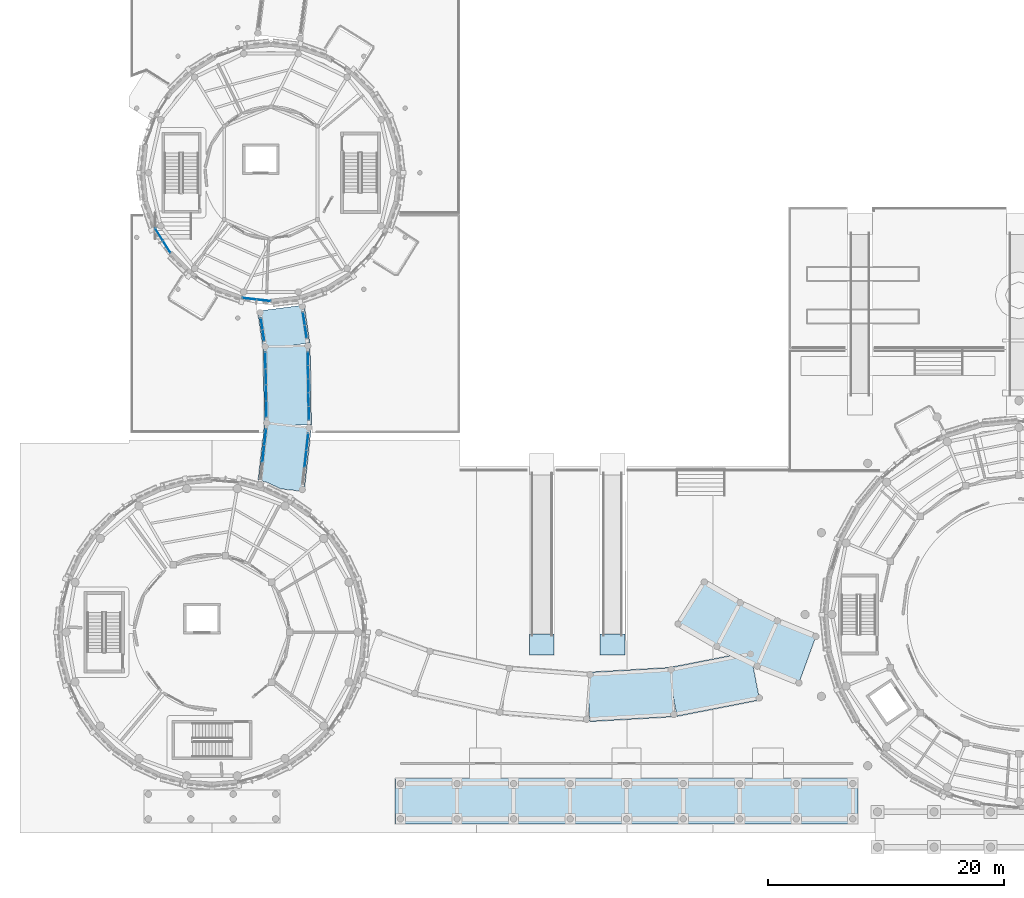
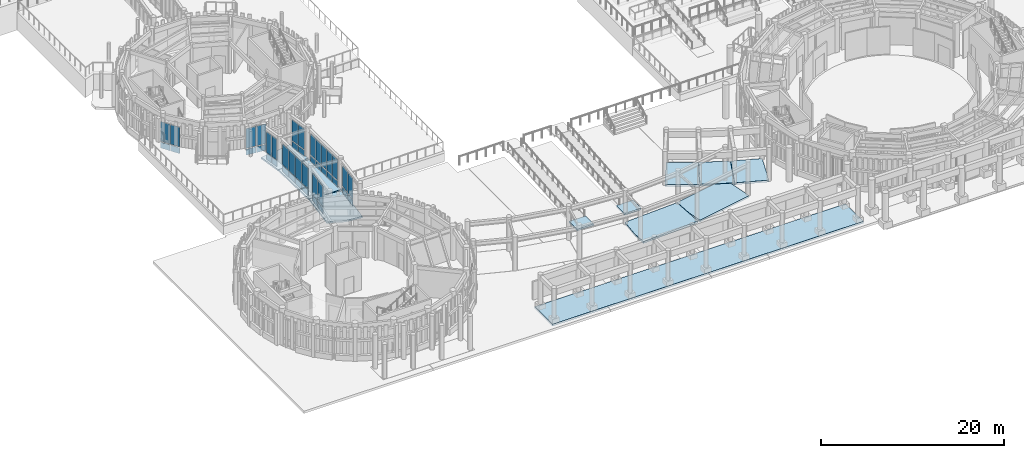
# One storey, part 33 of 94: 42 plates, 11 slabs, 8 elements without a shape of their own.
"""IFC4 building model written with IfcOpenShell, lengths in metres."""

import ifcopenshell
import ifcopenshell.guid

model = None  # the IFC model being written
_history = None  # IfcOwnerHistory: only IFC2X3 demands one
_inside = {}  # id of a spatial element -> (the spatial element, [elements in it])
_under = {}  # id of a project, library or spatial element -> (it, [spatial elements below it])
_declared = {}  # id of a project -> (the project, [libraries it declares])
_typed = {}  # id of a type object -> (the type object, [elements of that type])
_made_of = {}  # id of a material, layer set ... -> (it, [elements and type objects made of it])


def new_model(schema):
    """Start an empty IFC model of exactly this schema.

    Asked for "IFC4X3", IfcOpenShell would pick the latest addendum, in which some entities
    have other attributes; the version numbers below select the first issue.
    IFC2X3 requires an IfcOwnerHistory on every rooted entity: one is made here for all.
    """
    global model, _history
    if schema == "IFC4X3":
        model = ifcopenshell.file(schema_version=(4, 3, 0, 0))
    else:
        model = ifcopenshell.file(schema=schema)
    _inside.clear()
    _under.clear()
    _declared.clear()
    _typed.clear()
    _made_of.clear()
    _history = None
    if model.schema == "IFC2X3":
        org = make("IfcOrganization", Name="unknown")
        user = make(
            "IfcPersonAndOrganization",
            ThePerson=make("IfcPerson", FamilyName="unknown"),
            TheOrganization=org,
        )
        app = make(
            "IfcApplication",
            ApplicationDeveloper=org,
            Version="unknown",
            ApplicationFullName="unknown",
            ApplicationIdentifier="unknown",
        )
        _history = make(
            "IfcOwnerHistory",
            OwningUser=user,
            OwningApplication=app,
            ChangeAction="ADDED",
            CreationDate=0,
        )
    return model


def make(cls, **values):
    """One entity of the class cls with the attributes given. An attribute that is None is left unset."""
    return model.create_entity(
        cls, **{name: value for name, value in values.items() if value is not None}
    )


def rooted(cls, **values):
    """An entity with a GlobalId (a new one), such as an element, a storey or a relation."""
    return make(cls, GlobalId=ifcopenshell.guid.new(), OwnerHistory=_history, **values)


def si_unit(unit_type, name, prefix=None):
    """IfcSIUnit, for example si_unit("LENGTHUNIT", "METRE", prefix="MILLI")."""
    return make("IfcSIUnit", UnitType=unit_type, Prefix=prefix, Name=name)


def assignment(units):
    """IfcUnitAssignment: the units of a project."""
    return None if units is None else make("IfcUnitAssignment", Units=units)


def point(xyz):
    """IfcCartesianPoint."""
    return None if xyz is None else make("IfcCartesianPoint", Coordinates=xyz)


def direction(xyz):
    """IfcDirection."""
    return None if xyz is None else make("IfcDirection", DirectionRatios=xyz)


def frame(location, z_axis=None, x_axis=None):
    """IfcAxis2Placement3D, a coordinate frame: its origin and axes. An axis left out is left unset."""
    return make(
        "IfcAxis2Placement3D",
        Location=point(location),
        Axis=direction(z_axis),
        RefDirection=direction(x_axis),
    )


def frame_2d(location, x_axis=None):
    """IfcAxis2Placement2D, a coordinate frame in the plane: its origin and x axis."""
    return make(
        "IfcAxis2Placement2D", Location=point(location), RefDirection=direction(x_axis)
    )


def origin():
    """The frame at (0, 0, 0) with its axes left unset."""
    return frame((0.0, 0.0, 0.0))


def origin_2d():
    """The frame at (0, 0) in the plane with its x axis left unset."""
    return frame_2d((0.0, 0.0))


def place(relative_to, where):
    """IfcLocalPlacement: puts the frame where relative to a parent placement (None: the world)."""
    return make(
        "IfcLocalPlacement", PlacementRelTo=relative_to, RelativePlacement=where
    )


def context(
    kind, dimensions, precision=None, world=None, true_north=None, identifier=None
):
    """IfcGeometricRepresentationContext, for example the 3D "Model" context."""
    return make(
        "IfcGeometricRepresentationContext",
        ContextIdentifier=identifier,
        ContextType=kind,
        CoordinateSpaceDimension=dimensions,
        Precision=precision,
        WorldCoordinateSystem=world,
        TrueNorth=true_north,
    )


def subcontext(parent, identifier, kind, view, scale=None):
    """IfcGeometricRepresentationSubContext, for example "Body" below "Model"."""
    return make(
        "IfcGeometricRepresentationSubContext",
        ContextIdentifier=identifier,
        ContextType=kind,
        ParentContext=parent,
        TargetScale=scale,
        TargetView=view,
    )


def project(units=None, contexts=None):
    """IfcProject with its units and contexts."""
    return rooted(
        "IfcProject",
        Name="project",
        RepresentationContexts=contexts,
        UnitsInContext=assignment(units),
    )


def spatial(cls, under=None, at=None, **own):
    """A site, building, storey or space (cls), placed at a placement, below another one or the project."""
    s = rooted(cls, ObjectPlacement=at, **own)
    if under is not None:
        _under.setdefault(under.id(), (under, []))[1].append(s)
    return s


def polyline(points):
    """IfcPolyline through the points."""
    return make("IfcPolyline", Points=[point(p) for p in points])


def profile(cls, at=None, kind="AREA", **sizes):
    """A parametric profile (cls). Its sizes go by their IFC names, for example OverallWidth=200.0."""
    return make(cls, ProfileType=kind, Position=at, **sizes)


def rectangle(**sizes):
    """IfcRectangleProfileDef."""
    return profile("IfcRectangleProfileDef", **sizes)


def outline(outer, holes=None, kind="AREA"):
    """IfcArbitraryClosedProfileDef: a profile drawn as a closed curve; with holes, ...WithVoids."""
    if holes is None:
        return make("IfcArbitraryClosedProfileDef", ProfileType=kind, OuterCurve=outer)
    return make(
        "IfcArbitraryProfileDefWithVoids",
        ProfileType=kind,
        OuterCurve=outer,
        InnerCurves=holes,
    )


def extrude(swept, where, along, depth):
    """IfcExtrudedAreaSolid: the profile swept, set in the frame where, extruded along a direction by depth."""
    return make(
        "IfcExtrudedAreaSolid",
        SweptArea=swept,
        Position=where,
        ExtrudedDirection=direction(along),
        Depth=depth,
    )


def shape(context_of_items, identifier, shape_type, items):
    """IfcShapeRepresentation: the items that make up one representation, for example the "Body"."""
    return make(
        "IfcShapeRepresentation",
        ContextOfItems=context_of_items,
        RepresentationIdentifier=identifier,
        RepresentationType=shape_type,
        Items=items,
    )


def material(Name=None, Category=None):
    """IfcMaterial."""
    return make("IfcMaterial", Name=Name, Category=Category)


def layer(
    of_material, thickness, ventilated=None, Name=None, Category=None, Priority=None
):
    """IfcMaterialLayer: one layer of a wall or slab, of a material (None: an air gap)."""
    return make(
        "IfcMaterialLayer",
        Material=of_material,
        LayerThickness=thickness,
        IsVentilated=ventilated,
        Name=Name,
        Category=Category,
        Priority=Priority,
    )


def layer_set(layers, Name=None):
    """IfcMaterialLayerSet."""
    return make("IfcMaterialLayerSet", MaterialLayers=layers, LayerSetName=Name)


def made_of(thing, what):
    """Note that an element or type object is made of a material, layer set ...; save() writes the relation."""
    if what is not None:
        _made_of.setdefault(what.id(), (what, []))[1].append(thing)
    return thing


def type_object(cls, material=None, **own):
    """A type object (cls), such as IfcWallType, which elements share."""
    return made_of(rooted(cls, **own), material)


def element(
    cls,
    number,
    at=None,
    inside=None,
    cuts=None,
    type_object=None,
    material=None,
    context=None,
    identifier="Body",
    shape_type=None,
    held_by="IfcProductDefinitionShape",
    body=None,
    shapes=None,
    **own,
):
    """One element of the class cls, such as IfcWall. Its Tag is "e" and its number.

    at: its placement. inside: the storey or other place that contains it. cuts: it is an
    opening in that element (IfcRelVoidsElement). A single representation is given by context,
    identifier, shape_type and body (its items); several are given by shapes. held_by: the class
    of the entity that holds the representations. save() writes the other relations.
    """
    e = rooted(cls, Tag="e%d" % number, ObjectPlacement=at, **own)
    if body is not None:
        shapes = [shape(context, identifier, shape_type, body)]
    if shapes is not None:
        e.Representation = make(held_by, Representations=shapes)
    if inside is not None:
        _inside.setdefault(inside.id(), (inside, []))[1].append(e)
    if cuts is not None:
        rooted(
            "IfcRelVoidsElement", RelatingBuildingElement=cuts, RelatedOpeningElement=e
        )
    if type_object is not None:
        _typed.setdefault(type_object.id(), (type_object, []))[1].append(e)
    return made_of(e, material)


def aggregate(whole, parts):
    """IfcRelAggregates: a whole, such as a stair, and the parts it consists of."""
    return rooted("IfcRelAggregates", RelatingObject=whole, RelatedObjects=parts)


def save(model, path):
    """Write the relations noted so far, then the file.

    IfcRelAggregates (storeys below a building ...), IfcRelContainedInSpatialStructure (elements
    in a storey), IfcRelDefinesByType, IfcRelAssociatesMaterial and IfcRelDeclares: one each for
    every whole, place, type object, material and project.
    """
    for whole, parts in _under.values():
        aggregate(whole, parts)
    for where, things in _inside.values():
        rooted(
            "IfcRelContainedInSpatialStructure",
            RelatedElements=things,
            RelatingStructure=where,
        )
    for kind, things in _typed.values():
        rooted("IfcRelDefinesByType", RelatedObjects=things, RelatingType=kind)
    for what, things in _made_of.values():
        rooted("IfcRelAssociatesMaterial", RelatedObjects=things, RelatingMaterial=what)
    for by, libraries in _declared.values():
        rooted("IfcRelDeclares", RelatingContext=by, RelatedDefinitions=libraries)
    model.write(path)


model = new_model("IFC4")

# Units and contexts
model_context = context("Model", 3, precision=1e-05, world=origin(), true_north=direction((0.0, 1.0)))
body_context = subcontext(model_context, "Body", "Model", "MODEL_VIEW")
ifc_project = project(units=[si_unit("LENGTHUNIT", "METRE"), si_unit("AREAUNIT", "SQUARE_METRE"), si_unit("VOLUMEUNIT", "CUBIC_METRE"), si_unit("PLANEANGLEUNIT", "RADIAN"), si_unit("MASSUNIT", "GRAM", prefix="KILO")], contexts=[model_context])

# Site, building, storey
site_placement = place(None, origin())
site = spatial("IfcSite", under=ifc_project, at=site_placement, CompositionType="ELEMENT")
building_placement = place(site_placement, origin())
building = spatial("IfcBuilding", under=site, at=building_placement, Name="Aldenvaro Health Centre", CompositionType="ELEMENT")
storey_placement = place(building_placement, origin())
storey = spatial("IfcBuildingStorey", under=building, at=storey_placement, Name="L00", CompositionType="ELEMENT", Elevation=0.0)

# Curtain wall, plates
ifc_material_1 = material(Name="Anodised Aluminium 6063-T6", Category="aluminium")
ifc_layer_1 = layer(ifc_material_1, 0.195068359375, Name="Anodised Aluminium 6063-T6", Category="aluminium")
ifc_layer_set_1 = layer_set([ifc_layer_1], Name="Anodised Aluminium 6063-T6")
curtain_wall_type_1 = type_object("IfcCurtainWallType", Name="CW-CLN-02", PredefinedType="NOTDEFINED", material=ifc_layer_set_1)
curtain_wall_1_placement = place(storey_placement, origin())
curtain_wall_1 = element("IfcCurtainWall", 1, at=curtain_wall_1_placement, inside=storey, type_object=curtain_wall_type_1, Name="D3 L00 curtain wall bay 08", PredefinedType="NOTDEFINED")
ifc_material_2 = material(Name="Low-E Double Glazing IGU", Category="glass")
ifc_layer_2 = layer(ifc_material_2, 0.028076171875, Name="Low-E Double Glazing IGU", Category="glass")
ifc_layer_set_2 = layer_set([ifc_layer_2], Name="Low-E Double Glazing IGU")
plate_type_1 = type_object("IfcPlateType", Name="CWP-IGU-28", PredefinedType="CURTAIN_PANEL", material=ifc_layer_set_2)
plate_1_placement = place(storey_placement, frame((22.89404296875, 46.66796875, 0.96044921875), z_axis=(0.0, 0.0, 1.0), x_axis=(-0.993722777443, 0.111870646695, 0.0)))
plate_1 = element("IfcPlate", 2, at=plate_1_placement, type_object=plate_type_1, Name="D3 L00 curtain wall bay 08 vision glazing 1", PredefinedType="CURTAIN_PANEL", context=body_context, shape_type="SweptSolid", body=[
    extrude(rectangle(XDim=1.14990234375, YDim=0.028076171875, at=origin_2d()), origin(), (0.0, 0.0, 1.0), 2.638916015625),
])
plate_2_placement = place(storey_placement, frame((21.680908203125, 46.804931640625, 0.96044921875), z_axis=(0.0, 0.0, 1.0), x_axis=(-0.993722777443, 0.111870646695, 0.0)))
plate_2 = element("IfcPlate", 3, at=plate_2_placement, type_object=plate_type_1, Name="D3 L00 curtain wall bay 08 vision glazing 2", PredefinedType="CURTAIN_PANEL", context=body_context, shape_type="SweptSolid", body=[
    extrude(rectangle(XDim=1.14990234375, YDim=0.028076171875, at=origin_2d()), origin(), (0.0, 0.0, 1.0), 2.638916015625),
])

curtain_wall_2_placement = place(storey_placement, origin())
curtain_wall_2 = element("IfcCurtainWall", 4, at=curtain_wall_2_placement, inside=storey, type_object=curtain_wall_type_1, Name="D3 L00 curtain wall bay 12", PredefinedType="NOTDEFINED")
plate_3_placement = place(storey_placement, frame((14.653076171875, 51.220947265625, 0.96044921875), z_axis=(0.0, 0.0, 1.0), x_axis=(-0.532096042675, 0.846684003256, 0.0)))
plate_3 = element("IfcPlate", 5, at=plate_3_placement, type_object=plate_type_1, Name="D3 L00 curtain wall bay 12 vision glazing 1", PredefinedType="CURTAIN_PANEL", context=body_context, shape_type="SweptSolid", body=[
    extrude(rectangle(XDim=1.15087890625, YDim=0.028076171875, at=origin_2d()), origin(), (0.0, 0.0, 1.0), 2.638916015625),
])
plate_4_placement = place(storey_placement, frame((14.00390625, 52.25390625, 0.96044921875), z_axis=(0.0, 0.0, 1.0), x_axis=(-0.532096042675, 0.846684003256, 0.0)))
plate_4 = element("IfcPlate", 6, at=plate_4_placement, type_object=plate_type_1, Name="D3 L00 curtain wall bay 12 vision glazing 2", PredefinedType="CURTAIN_PANEL", context=body_context, shape_type="SweptSolid", body=[
    extrude(rectangle(XDim=1.15087890625, YDim=0.028076171875, at=origin_2d()), origin(), (0.0, 0.0, 1.0), 2.638916015625),
])

ifc_layer_3 = layer(ifc_material_1, 0.2099609375, Name="Anodised Aluminium 6063-T6", Category="aluminium")
ifc_layer_set_3 = layer_set([ifc_layer_3], Name="Anodised Aluminium 6063-T6")
curtain_wall_type_2 = type_object("IfcCurtainWallType", Name="CW-BRG-03", PredefinedType="NOTDEFINED", material=ifc_layer_set_3)
curtain_wall_3_placement = place(storey_placement, origin())
curtain_wall_3 = element("IfcCurtainWall", 7, at=curtain_wall_3_placement, inside=storey, type_object=curtain_wall_type_2, Name="West South Curved Garden Walkway Arc 1 L00 glazed link wall L-1.1", PredefinedType="NOTDEFINED")
plate_5_placement = place(storey_placement, frame((22.863037109375, 33.632080078125, 0.96044921875), z_axis=(0.0, 0.0, 1.0), x_axis=(0.110252441518, 0.993903616625, 0.0)))
plate_5 = element("IfcPlate", 8, at=plate_5_placement, type_object=plate_type_1, Name="West South Curved Garden Walkway Arc 1 L00 glazed link wall L-1.1 vision glazing 2", PredefinedType="CURTAIN_PANEL", context=body_context, shape_type="SweptSolid", body=[
    extrude(rectangle(XDim=1.360107421875, YDim=0.028076171875, at=origin_2d()), origin(), (0.0, 0.0, 1.0), 2.784912109375),
])
plate_6_placement = place(storey_placement, frame((23.02001953125, 35.052978515625, 0.96044921875), z_axis=(0.0, 0.0, 1.0), x_axis=(0.110252441518, 0.993903616625, 0.0)))
plate_6 = element("IfcPlate", 9, at=plate_6_placement, type_object=plate_type_1, Name="West South Curved Garden Walkway Arc 1 L00 glazed link wall L-1.1 vision glazing 3", PredefinedType="CURTAIN_PANEL", context=body_context, shape_type="SweptSolid", body=[
    extrude(rectangle(XDim=1.360107421875, YDim=0.028076171875, at=origin_2d()), origin(), (0.0, 0.0, 1.0), 2.784912109375),
])

curtain_wall_4_placement = place(storey_placement, origin())
curtain_wall_4 = element("IfcCurtainWall", 10, at=curtain_wall_4_placement, inside=storey, type_object=curtain_wall_type_2, Name="West South Curved Garden Walkway Arc 1 L00 glazed link wall R-1.1", PredefinedType="NOTDEFINED")
plate_7_placement = place(storey_placement, frame((26.44091796875, 33.23388671875, 0.96044921875), z_axis=(0.0, 0.0, 1.0), x_axis=(0.110277989687, 0.993900782267, 0.0)))
plate_7 = element("IfcPlate", 11, at=plate_7_placement, type_object=plate_type_1, Name="West South Curved Garden Walkway Arc 1 L00 glazed link wall R-1.1 vision glazing 2", PredefinedType="CURTAIN_PANEL", context=body_context, shape_type="SweptSolid", body=[
    extrude(rectangle(XDim=1.360107421875, YDim=0.028076171875, at=origin_2d()), origin(), (0.0, 0.0, 1.0), 2.784912109375),
])
plate_8_placement = place(storey_placement, frame((26.597900390625, 34.655029296875, 0.96044921875), z_axis=(0.0, 0.0, 1.0), x_axis=(0.110277989687, 0.993900782267, 0.0)))
plate_8 = element("IfcPlate", 12, at=plate_8_placement, type_object=plate_type_1, Name="West South Curved Garden Walkway Arc 1 L00 glazed link wall R-1.1 vision glazing 3", PredefinedType="CURTAIN_PANEL", context=body_context, shape_type="SweptSolid", body=[
    extrude(rectangle(XDim=1.360107421875, YDim=0.028076171875, at=origin_2d()), origin(), (0.0, 0.0, 1.0), 2.784912109375),
])

curtain_wall_5_placement = place(storey_placement, origin())
curtain_wall_5 = element("IfcCurtainWall", 13, at=curtain_wall_5_placement, inside=storey, type_object=curtain_wall_type_2, Name="West South Curved Garden Walkway Arc 2 L00 glazed link wall L-1.1", PredefinedType="NOTDEFINED")
plate_9_placement = place(storey_placement, frame((23.118896484375, 37.43701171875, 0.96044921875), z_axis=(0.0, 0.0, 1.0), x_axis=(-0.017467762138, 0.999847427004, 0.0)))
plate_9 = element("IfcPlate", 14, at=plate_9_placement, type_object=plate_type_1, Name="West South Curved Garden Walkway Arc 2 L00 glazed link wall L-1.1 vision glazing 1", PredefinedType="CURTAIN_PANEL", context=body_context, shape_type="SweptSolid", body=[
    extrude(rectangle(XDim=1.303955078125, YDim=0.028076171875, at=origin_2d()), origin(), (0.0, 0.0, 1.0), 2.784912109375),
])
plate_10_placement = place(storey_placement, frame((23.094970703125, 38.81103515625, 0.96044921875), z_axis=(0.0, 0.0, 1.0), x_axis=(-0.017467762138, 0.999847427004, 0.0)))
plate_10 = element("IfcPlate", 15, at=plate_10_placement, type_object=plate_type_1, Name="West South Curved Garden Walkway Arc 2 L00 glazed link wall L-1.1 vision glazing 2", PredefinedType="CURTAIN_PANEL", context=body_context, shape_type="SweptSolid", body=[
    extrude(rectangle(XDim=1.303955078125, YDim=0.028076171875, at=origin_2d()), origin(), (0.0, 0.0, 1.0), 2.784912109375),
])
plate_11_placement = place(storey_placement, frame((23.071044921875, 40.18408203125, 0.96044921875), z_axis=(0.0, 0.0, 1.0), x_axis=(-0.017467762138, 0.999847427004, 0.0)))
plate_11 = element("IfcPlate", 16, at=plate_11_placement, type_object=plate_type_1, Name="West South Curved Garden Walkway Arc 2 L00 glazed link wall L-1.1 vision glazing 3", PredefinedType="CURTAIN_PANEL", context=body_context, shape_type="SweptSolid", body=[
    extrude(rectangle(XDim=1.303955078125, YDim=0.028076171875, at=origin_2d()), origin(), (0.0, 0.0, 1.0), 2.784912109375),
])
plate_12_placement = place(storey_placement, frame((23.047119140625, 41.55810546875, 0.96044921875), z_axis=(0.0, 0.0, 1.0), x_axis=(-0.017467762138, 0.999847427004, 0.0)))
plate_12 = element("IfcPlate", 17, at=plate_12_placement, type_object=plate_type_1, Name="West South Curved Garden Walkway Arc 2 L00 glazed link wall L-1.1 vision glazing 4", PredefinedType="CURTAIN_PANEL", context=body_context, shape_type="SweptSolid", body=[
    extrude(rectangle(XDim=1.303955078125, YDim=0.028076171875, at=origin_2d()), origin(), (0.0, 0.0, 1.0), 2.784912109375),
])

curtain_wall_6_placement = place(storey_placement, origin())
curtain_wall_6 = element("IfcCurtainWall", 18, at=curtain_wall_6_placement, inside=storey, type_object=curtain_wall_type_2, Name="West South Curved Garden Walkway Arc 2 L00 glazed link wall R-1.1", PredefinedType="NOTDEFINED")
plate_13_placement = place(storey_placement, frame((26.72509765625, 37.087890625, 0.96044921875), z_axis=(0.0, 0.0, 1.0), x_axis=(-0.017414154948, 0.999848362107, 0.0)))
plate_13 = element("IfcPlate", 19, at=plate_13_placement, type_object=plate_type_1, Name="West South Curved Garden Walkway Arc 2 L00 glazed link wall R-1.1 vision glazing 1", PredefinedType="CURTAIN_PANEL", context=body_context, shape_type="SweptSolid", body=[
    extrude(rectangle(XDim=1.090087890625, YDim=0.028076171875, at=origin_2d()), origin(), (0.0, 0.0, 1.0), 2.784912109375),
])
plate_14_placement = place(storey_placement, frame((26.705078125, 38.248046875, 0.96044921875), z_axis=(0.0, 0.0, 1.0), x_axis=(-0.017414154948, 0.999848362107, 0.0)))
plate_14 = element("IfcPlate", 20, at=plate_14_placement, type_object=plate_type_1, Name="West South Curved Garden Walkway Arc 2 L00 glazed link wall R-1.1 vision glazing 2", PredefinedType="CURTAIN_PANEL", context=body_context, shape_type="SweptSolid", body=[
    extrude(rectangle(XDim=1.090087890625, YDim=0.028076171875, at=origin_2d()), origin(), (0.0, 0.0, 1.0), 2.784912109375),
])
plate_15_placement = place(storey_placement, frame((26.68408203125, 39.406982421875, 0.96044921875), z_axis=(0.0, 0.0, 1.0), x_axis=(-0.017414154948, 0.999848362107, 0.0)))
plate_15 = element("IfcPlate", 21, at=plate_15_placement, type_object=plate_type_1, Name="West South Curved Garden Walkway Arc 2 L00 glazed link wall R-1.1 vision glazing 3", PredefinedType="CURTAIN_PANEL", context=body_context, shape_type="SweptSolid", body=[
    extrude(rectangle(XDim=1.090087890625, YDim=0.028076171875, at=origin_2d()), origin(), (0.0, 0.0, 1.0), 2.784912109375),
])
plate_16_placement = place(storey_placement, frame((26.6640625, 40.56689453125, 0.96044921875), z_axis=(0.0, 0.0, 1.0), x_axis=(-0.017414154948, 0.999848362107, 0.0)))
plate_16 = element("IfcPlate", 22, at=plate_16_placement, type_object=plate_type_1, Name="West South Curved Garden Walkway Arc 2 L00 glazed link wall R-1.1 vision glazing 4", PredefinedType="CURTAIN_PANEL", context=body_context, shape_type="SweptSolid", body=[
    extrude(rectangle(XDim=1.090087890625, YDim=0.028076171875, at=origin_2d()), origin(), (0.0, 0.0, 1.0), 2.784912109375),
])
plate_17_placement = place(storey_placement, frame((26.64404296875, 41.72705078125, 0.96044921875), z_axis=(0.0, 0.0, 1.0), x_axis=(-0.017414154948, 0.999848362107, 0.0)))
plate_17 = element("IfcPlate", 23, at=plate_17_placement, type_object=plate_type_1, Name="West South Curved Garden Walkway Arc 2 L00 glazed link wall R-1.1 vision glazing 5", PredefinedType="CURTAIN_PANEL", context=body_context, shape_type="SweptSolid", body=[
    extrude(rectangle(XDim=1.090087890625, YDim=0.028076171875, at=origin_2d()), origin(), (0.0, 0.0, 1.0), 2.784912109375),
])

curtain_wall_7_placement = place(storey_placement, origin())
curtain_wall_7 = element("IfcCurtainWall", 24, at=curtain_wall_7_placement, inside=storey, type_object=curtain_wall_type_2, Name="West South Curved Garden Walkway Arc 3 L00 glazed link wall L-1.1", PredefinedType="NOTDEFINED")
plate_18_placement = place(storey_placement, frame((22.8701171875, 43.7060546875, 0.96044921875), z_axis=(0.0, 0.0, 1.0), x_axis=(-0.14510744713, 0.989415902837, 0.0)))
plate_18 = element("IfcPlate", 25, at=plate_18_placement, type_object=plate_type_1, Name="West South Curved Garden Walkway Arc 3 L00 glazed link wall L-1.1 vision glazing 1", PredefinedType="CURTAIN_PANEL", context=body_context, shape_type="SweptSolid", body=[
    extrude(rectangle(XDim=0.89794921875, YDim=0.028076171875, at=origin_2d()), origin(), (0.0, 0.0, 1.0), 2.784912109375),
])
plate_19_placement = place(storey_placement, frame((22.72900390625, 44.6640625, 0.96044921875), z_axis=(0.0, 0.0, 1.0), x_axis=(-0.14510744713, 0.989415902837, 0.0)))
plate_19 = element("IfcPlate", 26, at=plate_19_placement, type_object=plate_type_1, Name="West South Curved Garden Walkway Arc 3 L00 glazed link wall L-1.1 vision glazing 2", PredefinedType="CURTAIN_PANEL", context=body_context, shape_type="SweptSolid", body=[
    extrude(rectangle(XDim=0.89794921875, YDim=0.028076171875, at=origin_2d()), origin(), (0.0, 0.0, 1.0), 2.784912109375),
])

curtain_wall_8_placement = place(storey_placement, origin())
curtain_wall_8 = element("IfcCurtainWall", 27, at=curtain_wall_8_placement, inside=storey, type_object=curtain_wall_type_2, Name="West South Curved Garden Walkway Arc 3 L00 glazed link wall R-1.1", PredefinedType="NOTDEFINED")
plate_20_placement = place(storey_placement, frame((26.465087890625, 44.001953125, 0.96044921875), z_axis=(0.0, 0.0, 1.0), x_axis=(-0.144980265004, 0.989434546981, 0.0)))
plate_20 = element("IfcPlate", 28, at=plate_20_placement, type_object=plate_type_1, Name="West South Curved Garden Walkway Arc 3 L00 glazed link wall R-1.1 vision glazing 1", PredefinedType="CURTAIN_PANEL", context=body_context, shape_type="SweptSolid", body=[
    extrude(rectangle(XDim=1.051025390625, YDim=0.028076171875, at=origin_2d()), origin(), (0.0, 0.0, 1.0), 2.784912109375),
])
plate_21_placement = place(storey_placement, frame((26.302001953125, 45.111083984375, 0.96044921875), z_axis=(0.0, 0.0, 1.0), x_axis=(-0.144980265004, 0.989434546981, 0.0)))
plate_21 = element("IfcPlate", 29, at=plate_21_placement, type_object=plate_type_1, Name="West South Curved Garden Walkway Arc 3 L00 glazed link wall R-1.1 vision glazing 2", PredefinedType="CURTAIN_PANEL", context=body_context, shape_type="SweptSolid", body=[
    extrude(rectangle(XDim=1.051025390625, YDim=0.028076171875, at=origin_2d()), origin(), (0.0, 0.0, 1.0), 2.784912109375),
])

# Plate
ifc_material_3 = material(Name="Insulated Aluminium Spandrel", Category="aluminium")
ifc_layer_4 = layer(ifc_material_3, 0.035888671875, Name="Insulated Aluminium Spandrel", Category="aluminium")
ifc_layer_set_4 = layer_set([ifc_layer_4], Name="Insulated Aluminium Spandrel")
plate_type_2 = type_object("IfcPlateType", Name="CWP-SPN-36", PredefinedType="CURTAIN_PANEL", material=ifc_layer_set_4)
plate_22_placement = place(storey_placement, frame((22.89404296875, 46.66796875, 0.06005859375), z_axis=(0.0, 0.0, 1.0), x_axis=(-0.993722777443, 0.111870646695, 0.0)))
plate_22 = element("IfcPlate", 30, at=plate_22_placement, type_object=plate_type_2, Name="D3 L00 curtain wall bay 08 spandrel panel 1", PredefinedType="CURTAIN_PANEL", context=body_context, shape_type="SweptSolid", body=[
    extrude(rectangle(XDim=1.14990234375, YDim=0.035888671875, at=origin_2d()), origin(), (0.0, 0.0, 1.0), 0.780029296875),
])

plate_23_placement = place(storey_placement, frame((21.680908203125, 46.804931640625, 0.06005859375), z_axis=(0.0, 0.0, 1.0), x_axis=(-0.993722777443, 0.111870646695, 0.0)))
plate_23 = element("IfcPlate", 31, at=plate_23_placement, type_object=plate_type_2, Name="D3 L00 curtain wall bay 08 spandrel panel 2", PredefinedType="CURTAIN_PANEL", context=body_context, shape_type="SweptSolid", body=[
    extrude(rectangle(XDim=1.14990234375, YDim=0.035888671875, at=origin_2d()), origin(), (0.0, 0.0, 1.0), 0.780029296875),
])

aggregate(curtain_wall_1, [plate_22, plate_1, plate_23, plate_2])

plate_24_placement = place(storey_placement, frame((14.653076171875, 51.220947265625, 0.06005859375), z_axis=(0.0, 0.0, 1.0), x_axis=(-0.532096042675, 0.846684003256, 0.0)))
plate_24 = element("IfcPlate", 32, at=plate_24_placement, type_object=plate_type_2, Name="D3 L00 curtain wall bay 12 spandrel panel 1", PredefinedType="CURTAIN_PANEL", context=body_context, shape_type="SweptSolid", body=[
    extrude(rectangle(XDim=1.15087890625, YDim=0.035888671875, at=origin_2d()), origin(), (0.0, 0.0, 1.0), 0.780029296875),
])

plate_25_placement = place(storey_placement, frame((14.00390625, 52.25390625, 0.06005859375), z_axis=(0.0, 0.0, 1.0), x_axis=(-0.532096042675, 0.846684003256, 0.0)))
plate_25 = element("IfcPlate", 33, at=plate_25_placement, type_object=plate_type_2, Name="D3 L00 curtain wall bay 12 spandrel panel 2", PredefinedType="CURTAIN_PANEL", context=body_context, shape_type="SweptSolid", body=[
    extrude(rectangle(XDim=1.15087890625, YDim=0.035888671875, at=origin_2d()), origin(), (0.0, 0.0, 1.0), 0.780029296875),
])

aggregate(curtain_wall_2, [plate_24, plate_3, plate_25, plate_4])

plate_26_placement = place(storey_placement, frame((22.863037109375, 33.632080078125, 0.06005859375), z_axis=(0.0, 0.0, 1.0), x_axis=(0.110252441518, 0.993903616625, 0.0)))
plate_26 = element("IfcPlate", 34, at=plate_26_placement, type_object=plate_type_2, Name="West South Curved Garden Walkway Arc 1 L00 glazed link wall L-1.1 spandrel panel 2", PredefinedType="CURTAIN_PANEL", context=body_context, shape_type="SweptSolid", body=[
    extrude(rectangle(XDim=1.360107421875, YDim=0.035888671875, at=origin_2d()), origin(), (0.0, 0.0, 1.0), 0.780029296875),
])

plate_27_placement = place(storey_placement, frame((23.02001953125, 35.052978515625, 0.06005859375), z_axis=(0.0, 0.0, 1.0), x_axis=(0.110252441518, 0.993903616625, 0.0)))
plate_27 = element("IfcPlate", 35, at=plate_27_placement, type_object=plate_type_2, Name="West South Curved Garden Walkway Arc 1 L00 glazed link wall L-1.1 spandrel panel 3", PredefinedType="CURTAIN_PANEL", context=body_context, shape_type="SweptSolid", body=[
    extrude(rectangle(XDim=1.360107421875, YDim=0.035888671875, at=origin_2d()), origin(), (0.0, 0.0, 1.0), 0.780029296875),
])

aggregate(curtain_wall_3, [plate_26, plate_5, plate_27, plate_6])

plate_28_placement = place(storey_placement, frame((26.44091796875, 33.23388671875, 0.06005859375), z_axis=(0.0, 0.0, 1.0), x_axis=(0.110277989687, 0.993900782267, 0.0)))
plate_28 = element("IfcPlate", 36, at=plate_28_placement, type_object=plate_type_2, Name="West South Curved Garden Walkway Arc 1 L00 glazed link wall R-1.1 spandrel panel 2", PredefinedType="CURTAIN_PANEL", context=body_context, shape_type="SweptSolid", body=[
    extrude(rectangle(XDim=1.360107421875, YDim=0.035888671875, at=origin_2d()), origin(), (0.0, 0.0, 1.0), 0.780029296875),
])

plate_29_placement = place(storey_placement, frame((26.597900390625, 34.655029296875, 0.06005859375), z_axis=(0.0, 0.0, 1.0), x_axis=(0.110277989687, 0.993900782267, 0.0)))
plate_29 = element("IfcPlate", 37, at=plate_29_placement, type_object=plate_type_2, Name="West South Curved Garden Walkway Arc 1 L00 glazed link wall R-1.1 spandrel panel 3", PredefinedType="CURTAIN_PANEL", context=body_context, shape_type="SweptSolid", body=[
    extrude(rectangle(XDim=1.360107421875, YDim=0.035888671875, at=origin_2d()), origin(), (0.0, 0.0, 1.0), 0.780029296875),
])

aggregate(curtain_wall_4, [plate_28, plate_7, plate_29, plate_8])

plate_30_placement = place(storey_placement, frame((23.118896484375, 37.43701171875, 0.06005859375), z_axis=(0.0, 0.0, 1.0), x_axis=(-0.017467762138, 0.999847427004, 0.0)))
plate_30 = element("IfcPlate", 38, at=plate_30_placement, type_object=plate_type_2, Name="West South Curved Garden Walkway Arc 2 L00 glazed link wall L-1.1 spandrel panel 1", PredefinedType="CURTAIN_PANEL", context=body_context, shape_type="SweptSolid", body=[
    extrude(rectangle(XDim=1.303955078125, YDim=0.035888671875, at=origin_2d()), origin(), (0.0, 0.0, 1.0), 0.780029296875),
])

plate_31_placement = place(storey_placement, frame((23.094970703125, 38.81103515625, 0.06005859375), z_axis=(0.0, 0.0, 1.0), x_axis=(-0.017467762138, 0.999847427004, 0.0)))
plate_31 = element("IfcPlate", 39, at=plate_31_placement, type_object=plate_type_2, Name="West South Curved Garden Walkway Arc 2 L00 glazed link wall L-1.1 spandrel panel 2", PredefinedType="CURTAIN_PANEL", context=body_context, shape_type="SweptSolid", body=[
    extrude(rectangle(XDim=1.303955078125, YDim=0.035888671875, at=origin_2d()), origin(), (0.0, 0.0, 1.0), 0.780029296875),
])

plate_32_placement = place(storey_placement, frame((23.071044921875, 40.18408203125, 0.06005859375), z_axis=(0.0, 0.0, 1.0), x_axis=(-0.017467762138, 0.999847427004, 0.0)))
plate_32 = element("IfcPlate", 40, at=plate_32_placement, type_object=plate_type_2, Name="West South Curved Garden Walkway Arc 2 L00 glazed link wall L-1.1 spandrel panel 3", PredefinedType="CURTAIN_PANEL", context=body_context, shape_type="SweptSolid", body=[
    extrude(rectangle(XDim=1.303955078125, YDim=0.035888671875, at=origin_2d()), origin(), (0.0, 0.0, 1.0), 0.780029296875),
])

plate_33_placement = place(storey_placement, frame((23.047119140625, 41.55810546875, 0.06005859375), z_axis=(0.0, 0.0, 1.0), x_axis=(-0.017467762138, 0.999847427004, 0.0)))
plate_33 = element("IfcPlate", 41, at=plate_33_placement, type_object=plate_type_2, Name="West South Curved Garden Walkway Arc 2 L00 glazed link wall L-1.1 spandrel panel 4", PredefinedType="CURTAIN_PANEL", context=body_context, shape_type="SweptSolid", body=[
    extrude(rectangle(XDim=1.303955078125, YDim=0.035888671875, at=origin_2d()), origin(), (0.0, 0.0, 1.0), 0.780029296875),
])

aggregate(curtain_wall_5, [plate_30, plate_9, plate_31, plate_10, plate_32, plate_11, plate_33, plate_12])

plate_34_placement = place(storey_placement, frame((26.72509765625, 37.087890625, 0.06005859375), z_axis=(0.0, 0.0, 1.0), x_axis=(-0.017414154948, 0.999848362107, 0.0)))
plate_34 = element("IfcPlate", 42, at=plate_34_placement, type_object=plate_type_2, Name="West South Curved Garden Walkway Arc 2 L00 glazed link wall R-1.1 spandrel panel 1", PredefinedType="CURTAIN_PANEL", context=body_context, shape_type="SweptSolid", body=[
    extrude(rectangle(XDim=1.090087890625, YDim=0.035888671875, at=origin_2d()), origin(), (0.0, 0.0, 1.0), 0.780029296875),
])

plate_35_placement = place(storey_placement, frame((26.705078125, 38.248046875, 0.06005859375), z_axis=(0.0, 0.0, 1.0), x_axis=(-0.017414154948, 0.999848362107, 0.0)))
plate_35 = element("IfcPlate", 43, at=plate_35_placement, type_object=plate_type_2, Name="West South Curved Garden Walkway Arc 2 L00 glazed link wall R-1.1 spandrel panel 2", PredefinedType="CURTAIN_PANEL", context=body_context, shape_type="SweptSolid", body=[
    extrude(rectangle(XDim=1.090087890625, YDim=0.035888671875, at=origin_2d()), origin(), (0.0, 0.0, 1.0), 0.780029296875),
])

plate_36_placement = place(storey_placement, frame((26.68408203125, 39.406982421875, 0.06005859375), z_axis=(0.0, 0.0, 1.0), x_axis=(-0.017414154948, 0.999848362107, 0.0)))
plate_36 = element("IfcPlate", 44, at=plate_36_placement, type_object=plate_type_2, Name="West South Curved Garden Walkway Arc 2 L00 glazed link wall R-1.1 spandrel panel 3", PredefinedType="CURTAIN_PANEL", context=body_context, shape_type="SweptSolid", body=[
    extrude(rectangle(XDim=1.090087890625, YDim=0.035888671875, at=origin_2d()), origin(), (0.0, 0.0, 1.0), 0.780029296875),
])

plate_37_placement = place(storey_placement, frame((26.6640625, 40.56689453125, 0.06005859375), z_axis=(0.0, 0.0, 1.0), x_axis=(-0.017414154948, 0.999848362107, 0.0)))
plate_37 = element("IfcPlate", 45, at=plate_37_placement, type_object=plate_type_2, Name="West South Curved Garden Walkway Arc 2 L00 glazed link wall R-1.1 spandrel panel 4", PredefinedType="CURTAIN_PANEL", context=body_context, shape_type="SweptSolid", body=[
    extrude(rectangle(XDim=1.090087890625, YDim=0.035888671875, at=origin_2d()), origin(), (0.0, 0.0, 1.0), 0.780029296875),
])

plate_38_placement = place(storey_placement, frame((26.64404296875, 41.72705078125, 0.06005859375), z_axis=(0.0, 0.0, 1.0), x_axis=(-0.017414154948, 0.999848362107, 0.0)))
plate_38 = element("IfcPlate", 46, at=plate_38_placement, type_object=plate_type_2, Name="West South Curved Garden Walkway Arc 2 L00 glazed link wall R-1.1 spandrel panel 5", PredefinedType="CURTAIN_PANEL", context=body_context, shape_type="SweptSolid", body=[
    extrude(rectangle(XDim=1.090087890625, YDim=0.035888671875, at=origin_2d()), origin(), (0.0, 0.0, 1.0), 0.780029296875),
])

aggregate(curtain_wall_6, [plate_34, plate_13, plate_35, plate_14, plate_36, plate_15, plate_37, plate_16, plate_38, plate_17])

plate_39_placement = place(storey_placement, frame((22.8701171875, 43.7060546875, 0.06005859375), z_axis=(0.0, 0.0, 1.0), x_axis=(-0.14510744713, 0.989415902837, 0.0)))
plate_39 = element("IfcPlate", 47, at=plate_39_placement, type_object=plate_type_2, Name="West South Curved Garden Walkway Arc 3 L00 glazed link wall L-1.1 spandrel panel 1", PredefinedType="CURTAIN_PANEL", context=body_context, shape_type="SweptSolid", body=[
    extrude(rectangle(XDim=0.89794921875, YDim=0.035888671875, at=origin_2d()), origin(), (0.0, 0.0, 1.0), 0.780029296875),
])

plate_40_placement = place(storey_placement, frame((22.72900390625, 44.6640625, 0.06005859375), z_axis=(0.0, 0.0, 1.0), x_axis=(-0.14510744713, 0.989415902837, 0.0)))
plate_40 = element("IfcPlate", 48, at=plate_40_placement, type_object=plate_type_2, Name="West South Curved Garden Walkway Arc 3 L00 glazed link wall L-1.1 spandrel panel 2", PredefinedType="CURTAIN_PANEL", context=body_context, shape_type="SweptSolid", body=[
    extrude(rectangle(XDim=0.89794921875, YDim=0.035888671875, at=origin_2d()), origin(), (0.0, 0.0, 1.0), 0.780029296875),
])

aggregate(curtain_wall_7, [plate_39, plate_18, plate_40, plate_19])

plate_41_placement = place(storey_placement, frame((26.465087890625, 44.001953125, 0.06005859375), z_axis=(0.0, 0.0, 1.0), x_axis=(-0.144980265004, 0.989434546981, 0.0)))
plate_41 = element("IfcPlate", 49, at=plate_41_placement, type_object=plate_type_2, Name="West South Curved Garden Walkway Arc 3 L00 glazed link wall R-1.1 spandrel panel 1", PredefinedType="CURTAIN_PANEL", context=body_context, shape_type="SweptSolid", body=[
    extrude(rectangle(XDim=1.051025390625, YDim=0.035888671875, at=origin_2d()), origin(), (0.0, 0.0, 1.0), 0.780029296875),
])

plate_42_placement = place(storey_placement, frame((26.302001953125, 45.111083984375, 0.06005859375), z_axis=(0.0, 0.0, 1.0), x_axis=(-0.144980265004, 0.989434546981, 0.0)))
plate_42 = element("IfcPlate", 50, at=plate_42_placement, type_object=plate_type_2, Name="West South Curved Garden Walkway Arc 3 L00 glazed link wall R-1.1 spandrel panel 2", PredefinedType="CURTAIN_PANEL", context=body_context, shape_type="SweptSolid", body=[
    extrude(rectangle(XDim=1.051025390625, YDim=0.035888671875, at=origin_2d()), origin(), (0.0, 0.0, 1.0), 0.780029296875),
])

aggregate(curtain_wall_8, [plate_41, plate_20, plate_42, plate_21])

# Slabs
ifc_material_4 = material(Name="Cross-laminated timber CLT E1", Category="wood")
ifc_layer_5 = layer(ifc_material_4, 0.205078125, Name="Cross-laminated timber CLT E1", Category="wood")
ifc_layer_set_5 = layer_set([ifc_layer_5], Name="Cross-laminated timber CLT E1")
slab_type_1 = type_object("IfcSlabType", Name="SLB-CLT-205", PredefinedType="FLOOR", material=ifc_layer_set_5)
slab_1_placement = place(storey_placement, frame((0.0, 0.0, -0.205078125)))
element("IfcSlab", 51, at=slab_1_placement, inside=storey, type_object=slab_type_1, Name="West South Curved Garden Walkway Arc 1 L00 deck slab", PredefinedType="FLOOR", context=body_context, shape_type="SweptSolid", body=[
    extrude(outline(polyline([(22.955078125, 36.278076171875), (26.930908203125, 35.8359375), (26.3330078125, 30.447998046875), (24.344970703125, 30.6689453125), (23.134033203125, 31.23291015625), (22.416015625, 31.425048828125), (22.955078125, 36.278076171875)])), origin(), (0.0, 0.0, 1.0), 0.205078125),
])
slab_2_placement = place(storey_placement, frame((0.0, 0.0, -0.205078125)))
element("IfcSlab", 52, at=slab_2_placement, inside=storey, type_object=slab_type_1, Name="West South Curved Garden Walkway Arc 2 L00 deck slab", PredefinedType="FLOOR", context=body_context, shape_type="SweptSolid", body=[
    extrude(outline(polyline([(22.825927734375, 42.736083984375), (26.825927734375, 42.805908203125), (26.943115234375, 36.092041015625), (25.256103515625, 36.06201171875), (22.93798828125, 36.320068359375), (22.825927734375, 42.736083984375)])), origin(), (0.0, 0.0, 1.0), 0.205078125),
])
slab_3_placement = place(storey_placement, frame((0.0, 0.0, -0.205078125)))
element("IfcSlab", 53, at=slab_3_placement, inside=storey, type_object=slab_type_1, Name="West South Curved Garden Walkway Arc 3 L00 deck slab", PredefinedType="FLOOR", context=body_context, shape_type="SweptSolid", body=[
    extrude(outline(polyline([(26.804931640625, 43.06103515625), (25.135986328125, 42.81591796875), (22.803955078125, 42.77587890625), (22.367919921875, 45.756103515625), (26.070068359375, 46.239990234375), (26.325927734375, 46.330078125), (26.804931640625, 43.06103515625)])), origin(), (0.0, 0.0, 1.0), 0.205078125),
])
ifc_material_5 = material(Name="Concrete f'c 40 MPa", Category="concrete")
ifc_layer_6 = layer(ifc_material_5, 0.260009765625, Name="Concrete f'c 40 MPa", Category="concrete")
ifc_layer_set_6 = layer_set([ifc_layer_6], Name="Concrete f'c 40 MPa")
slab_type_2 = type_object("IfcSlabType", Name="SLB-COL-260", PredefinedType="FLOOR", material=ifc_layer_set_6)
slab_4_placement = place(storey_placement, frame((0.0, 0.0, -0.260009765625)))
element("IfcSlab", 54, at=slab_4_placement, inside=storey, type_object=slab_type_2, Name="Colonnade Shaded Walkway Slab 01", PredefinedType="FLOOR", context=body_context, shape_type="SweptSolid", body=[
    extrude(outline(polyline([(60.2919921875, 22.758056640625), (58.06591796875, 19.197021484375), (61.366943359375, 17.291015625), (63.339111328125, 20.9990234375), (60.2919921875, 22.758056640625)])), origin(), (0.0, 0.0, 1.0), 0.260009765625),
])
slab_5_placement = place(storey_placement, frame((0.0, 0.0, -0.260009765625)))
element("IfcSlab", 55, at=slab_5_placement, inside=storey, type_object=slab_type_2, Name="Colonnade Shaded Walkway Slab 02", PredefinedType="FLOOR", context=body_context, shape_type="SweptSolid", body=[
    extrude(outline(polyline([(66.5, 19.45703125), (64.7919921875, 15.6201171875), (61.39404296875, 17.278076171875), (63.365966796875, 20.986083984375), (66.5, 19.45703125)])), origin(), (0.0, 0.0, 1.0), 0.260009765625),
])
slab_6_placement = place(storey_placement, frame((0.0, 0.0, -0.260009765625)))
element("IfcSlab", 56, at=slab_6_placement, inside=storey, type_object=slab_type_2, Name="Colonnade Shaded Walkway Slab 03", PredefinedType="FLOOR", context=body_context, shape_type="SweptSolid", body=[
    extrude(outline(polyline([(69.761962890625, 18.138916015625), (68.325927734375, 14.193115234375), (64.820068359375, 15.60888671875), (66.528076171875, 19.446044921875), (69.761962890625, 18.138916015625)])), origin(), (0.0, 0.0, 1.0), 0.260009765625),
])
slab_7_placement = place(storey_placement, frame((0.0, 0.0, -0.260009765625)))
element("IfcSlab", 57, at=slab_7_placement, inside=storey, type_object=slab_type_2, Name="South West Curved Peristyle Walkway Arc 4 L00 deck slab", PredefinedType="FLOOR", context=body_context, shape_type="SweptSolid", body=[
    extrude(outline(polyline([(57.458984375, 15.510986328125), (57.700927734375, 11.31689453125), (50.571044921875, 10.906005859375), (50.467041015625, 12.708984375), (50.656982421875, 15.117919921875), (57.458984375, 15.510986328125)])), origin(), (0.0, 0.0, 1.0), 0.260009765625),
])
slab_8_placement = place(storey_placement, frame((0.0, 0.0, -0.260009765625)))
element("IfcSlab", 58, at=slab_8_placement, inside=storey, type_object=slab_type_2, Name="South West Curved Peristyle Walkway Arc 5 L00 deck slab", PredefinedType="FLOOR", context=body_context, shape_type="SweptSolid", body=[
    extrude(outline(polyline([(64.991943359375, 12.72802734375), (57.98388671875, 11.35302734375), (57.636962890625, 13.125), (57.498046875, 15.5380859375), (62.739013671875, 16.56591796875), (64.39794921875, 15.757080078125), (64.991943359375, 12.72802734375)])), origin(), (0.0, 0.0, 1.0), 0.260009765625),
])
slab_9_placement = place(storey_placement, frame((0.0, 0.0, -0.260009765625)))
element("IfcSlab", 59, at=slab_9_placement, inside=storey, type_object=slab_type_2, Name="South Neoclassical Stoa W Walkway Stylobate", PredefinedType="FLOOR", context=body_context, shape_type="SweptSolid", body=[
    extrude(outline(polyline([(34.050048828125, 2.199951171875), (73.35009765625, 2.199951171875), (73.35009765625, 6.10009765625), (34.050048828125, 6.10009765625), (34.050048828125, 2.199951171875)])), origin(), (0.0, 0.0, 1.0), 0.260009765625),
])
ifc_layer_7 = layer(ifc_material_5, 0.219970703125, Name="Concrete f'c 40 MPa", Category="concrete")
ifc_layer_set_7 = layer_set([ifc_layer_7], Name="Concrete f'c 40 MPa")
slab_type_3 = type_object("IfcSlabType", Name="SLB-LND-190", PredefinedType="LANDING", material=ifc_layer_set_7)
slab_10_placement = place(storey_placement, frame((0.0, 0.0, -0.219970703125)))
element("IfcSlab", 60, at=slab_10_placement, inside=storey, type_object=slab_type_3, Name="Stepped Foothill Ramp 1 Departure Landing", PredefinedType="LANDING", context=body_context, shape_type="SweptSolid", body=[
    extrude(outline(polyline([(45.449951171875, 16.550048828125), (47.550048828125, 16.550048828125), (47.550048828125, 18.35009765625), (45.449951171875, 18.35009765625), (45.449951171875, 16.550048828125)])), origin(), (0.0, 0.0, 1.0), 0.219970703125),
])
slab_11_placement = place(storey_placement, frame((0.0, 0.0, -0.219970703125)))
element("IfcSlab", 61, at=slab_11_placement, inside=storey, type_object=slab_type_3, Name="Stepped Foothill Ramp 2 Departure Landing", PredefinedType="LANDING", context=body_context, shape_type="SweptSolid", body=[
    extrude(outline(polyline([(51.449951171875, 16.550048828125), (53.550048828125, 16.550048828125), (53.550048828125, 18.35009765625), (51.449951171875, 18.35009765625), (51.449951171875, 16.550048828125)])), origin(), (0.0, 0.0, 1.0), 0.219970703125),
])

save(model, "model.ifc")
